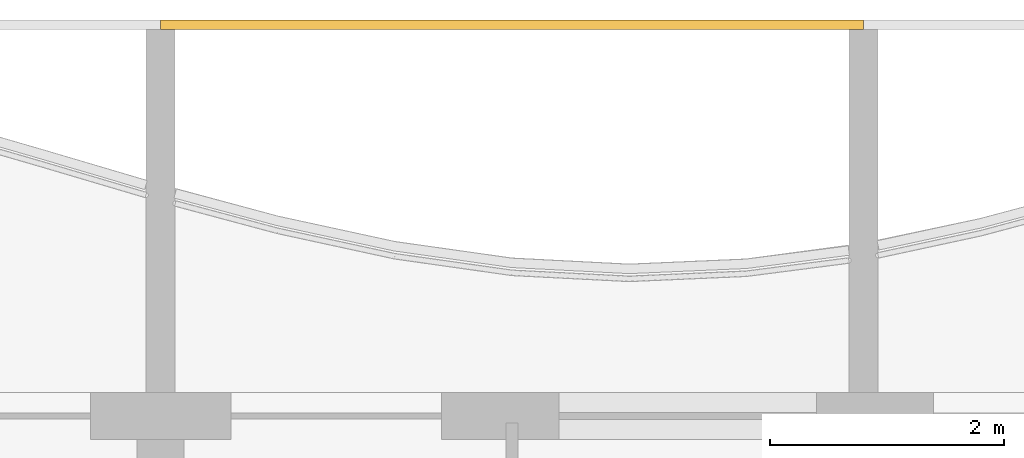
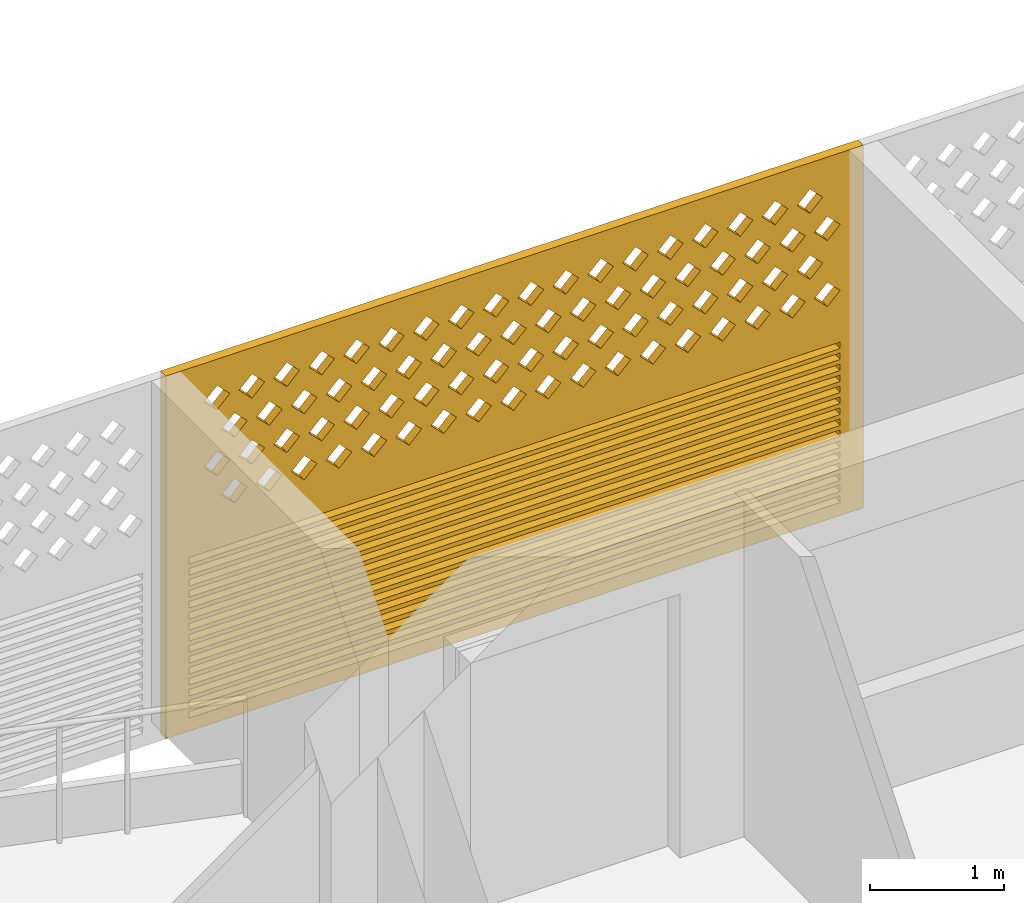
# One storey, part 31 of 44: 1 covering.
"""IFC4 building model written with IfcOpenShell, lengths in metres."""

from ifc_helpers import new_model, si_unit, direction, frame, origin, place, context, subcontext, project, spatial, polyline, outline, extrude, source, transform, mapped, material, material_profile, profile_set, type_object, element, save


model = new_model("IFC4")

# Units and contexts
model_context = context("Model", 3, precision=1e-05, world=origin(), true_north=direction((0.0, 1.0)))
body_context = subcontext(model_context, "Body", "Model", "MODEL_VIEW")
ifc_project = project(units=[si_unit("LENGTHUNIT", "METRE"), si_unit("AREAUNIT", "SQUARE_METRE"), si_unit("VOLUMEUNIT", "CUBIC_METRE"), si_unit("PLANEANGLEUNIT", "RADIAN"), si_unit("MASSUNIT", "GRAM", prefix="KILO")], contexts=[model_context])

# Site, building, storey
site_placement = place(None, origin())
site = spatial("IfcSite", under=ifc_project, at=site_placement, CompositionType="ELEMENT")
building_placement = place(site_placement, origin())
building = spatial("IfcBuilding", under=site, at=building_placement, Name="Poui Terraces", CompositionType="ELEMENT")
storey_placement = place(building_placement, frame((0.0, 0.0, 30.0)))
storey = spatial("IfcBuildingStorey", under=building, at=storey_placement, Name="L07", CompositionType="ELEMENT", Elevation=30.0)

# Covering
ifc_material = material(Name="Terracotta screen", Category="masonry")
ifc_material_profile = material_profile(ifc_material, outline(polyline([(-3.0, -1.64990234375), (3.0, -1.64990234375), (3.0, 1.64990234375), (-3.0, 1.64990234375), (-3.0, -1.64990234375)]), holes=[polyline([(-2.800048828125, 0.39990234375), (-2.68994140625, 0.2900390625), (-2.580078125, 0.39990234375), (-2.68994140625, 0.510009765625), (-2.800048828125, 0.39990234375)]), polyline([(-2.5, 0.39990234375), (-2.389892578125, 0.2900390625), (-2.280029296875, 0.39990234375), (-2.389892578125, 0.510009765625), (-2.5, 0.39990234375)]), polyline([(-2.199951171875, 0.39990234375), (-2.090087890625, 0.2900390625), (-1.97998046875, 0.39990234375), (-2.090087890625, 0.510009765625), (-2.199951171875, 0.39990234375)]), polyline([(-1.89990234375, 0.39990234375), (-1.7900390625, 0.2900390625), (-1.679931640625, 0.39990234375), (-1.7900390625, 0.510009765625), (-1.89990234375, 0.39990234375)]), polyline([(-1.60009765625, 0.39990234375), (-1.489990234375, 0.2900390625), (-1.3798828125, 0.39990234375), (-1.489990234375, 0.510009765625), (-1.60009765625, 0.39990234375)]), polyline([(-1.300048828125, 0.39990234375), (-1.18994140625, 0.2900390625), (-1.080078125, 0.39990234375), (-1.18994140625, 0.510009765625), (-1.300048828125, 0.39990234375)]), polyline([(-1.0, 0.39990234375), (-0.889892578125, 0.2900390625), (-0.780029296875, 0.39990234375), (-0.889892578125, 0.510009765625), (-1.0, 0.39990234375)]), polyline([(-0.699951171875, 0.39990234375), (-0.590087890625, 0.2900390625), (-0.47998046875, 0.39990234375), (-0.590087890625, 0.510009765625), (-0.699951171875, 0.39990234375)]), polyline([(-0.39990234375, 0.39990234375), (-0.2900390625, 0.2900390625), (-0.179931640625, 0.39990234375), (-0.2900390625, 0.510009765625), (-0.39990234375, 0.39990234375)]), polyline([(-0.10009765625, 0.39990234375), (0.010009765625, 0.2900390625), (0.1201171875, 0.39990234375), (0.010009765625, 0.510009765625), (-0.10009765625, 0.39990234375)]), polyline([(0.199951171875, 0.39990234375), (0.31005859375, 0.2900390625), (0.419921875, 0.39990234375), (0.31005859375, 0.510009765625), (0.199951171875, 0.39990234375)]), polyline([(0.5, 0.39990234375), (0.610107421875, 0.2900390625), (0.719970703125, 0.39990234375), (0.610107421875, 0.510009765625), (0.5, 0.39990234375)]), polyline([(0.800048828125, 0.39990234375), (0.909912109375, 0.2900390625), (1.02001953125, 0.39990234375), (0.909912109375, 0.510009765625), (0.800048828125, 0.39990234375)]), polyline([(1.10009765625, 0.39990234375), (1.2099609375, 0.2900390625), (1.320068359375, 0.39990234375), (1.2099609375, 0.510009765625), (1.10009765625, 0.39990234375)]), polyline([(1.39990234375, 0.39990234375), (1.510009765625, 0.2900390625), (1.6201171875, 0.39990234375), (1.510009765625, 0.510009765625), (1.39990234375, 0.39990234375)]), polyline([(1.699951171875, 0.39990234375), (1.81005859375, 0.2900390625), (1.919921875, 0.39990234375), (1.81005859375, 0.510009765625), (1.699951171875, 0.39990234375)]), polyline([(2.0, 0.39990234375), (2.110107421875, 0.2900390625), (2.219970703125, 0.39990234375), (2.110107421875, 0.510009765625), (2.0, 0.39990234375)]), polyline([(2.300048828125, 0.39990234375), (2.409912109375, 0.2900390625), (2.52001953125, 0.39990234375), (2.409912109375, 0.510009765625), (2.300048828125, 0.39990234375)]), polyline([(-2.64990234375, 0.699951171875), (-2.5400390625, 0.590087890625), (-2.429931640625, 0.699951171875), (-2.5400390625, 0.81005859375), (-2.64990234375, 0.699951171875)]), polyline([(-2.35009765625, 0.699951171875), (-2.239990234375, 0.590087890625), (-2.1298828125, 0.699951171875), (-2.239990234375, 0.81005859375), (-2.35009765625, 0.699951171875)]), polyline([(-2.050048828125, 0.699951171875), (-1.93994140625, 0.590087890625), (-1.830078125, 0.699951171875), (-1.93994140625, 0.81005859375), (-2.050048828125, 0.699951171875)]), polyline([(-1.75, 0.699951171875), (-1.639892578125, 0.590087890625), (-1.530029296875, 0.699951171875), (-1.639892578125, 0.81005859375), (-1.75, 0.699951171875)]), polyline([(-1.449951171875, 0.699951171875), (-1.340087890625, 0.590087890625), (-1.22998046875, 0.699951171875), (-1.340087890625, 0.81005859375), (-1.449951171875, 0.699951171875)]), polyline([(-1.14990234375, 0.699951171875), (-1.0400390625, 0.590087890625), (-0.929931640625, 0.699951171875), (-1.0400390625, 0.81005859375), (-1.14990234375, 0.699951171875)]), polyline([(-0.85009765625, 0.699951171875), (-0.739990234375, 0.590087890625), (-0.6298828125, 0.699951171875), (-0.739990234375, 0.81005859375), (-0.85009765625, 0.699951171875)]), polyline([(-0.550048828125, 0.699951171875), (-0.43994140625, 0.590087890625), (-0.330078125, 0.699951171875), (-0.43994140625, 0.81005859375), (-0.550048828125, 0.699951171875)]), polyline([(-0.25, 0.699951171875), (-0.139892578125, 0.590087890625), (-0.030029296875, 0.699951171875), (-0.139892578125, 0.81005859375), (-0.25, 0.699951171875)]), polyline([(0.050048828125, 0.699951171875), (0.159912109375, 0.590087890625), (0.27001953125, 0.699951171875), (0.159912109375, 0.81005859375), (0.050048828125, 0.699951171875)]), polyline([(0.35009765625, 0.699951171875), (0.4599609375, 0.590087890625), (0.570068359375, 0.699951171875), (0.4599609375, 0.81005859375), (0.35009765625, 0.699951171875)]), polyline([(0.64990234375, 0.699951171875), (0.760009765625, 0.590087890625), (0.8701171875, 0.699951171875), (0.760009765625, 0.81005859375), (0.64990234375, 0.699951171875)]), polyline([(0.949951171875, 0.699951171875), (1.06005859375, 0.590087890625), (1.169921875, 0.699951171875), (1.06005859375, 0.81005859375), (0.949951171875, 0.699951171875)]), polyline([(1.25, 0.699951171875), (1.360107421875, 0.590087890625), (1.469970703125, 0.699951171875), (1.360107421875, 0.81005859375), (1.25, 0.699951171875)]), polyline([(1.550048828125, 0.699951171875), (1.659912109375, 0.590087890625), (1.77001953125, 0.699951171875), (1.659912109375, 0.81005859375), (1.550048828125, 0.699951171875)]), polyline([(1.85009765625, 0.699951171875), (1.9599609375, 0.590087890625), (2.070068359375, 0.699951171875), (1.9599609375, 0.81005859375), (1.85009765625, 0.699951171875)]), polyline([(2.14990234375, 0.699951171875), (2.260009765625, 0.590087890625), (2.3701171875, 0.699951171875), (2.260009765625, 0.81005859375), (2.14990234375, 0.699951171875)]), polyline([(2.449951171875, 0.699951171875), (2.56005859375, 0.590087890625), (2.669921875, 0.699951171875), (2.56005859375, 0.81005859375), (2.449951171875, 0.699951171875)]), polyline([(-2.800048828125, 1.0), (-2.68994140625, 0.889892578125), (-2.580078125, 1.0), (-2.68994140625, 1.110107421875), (-2.800048828125, 1.0)]), polyline([(-2.5, 1.0), (-2.389892578125, 0.889892578125), (-2.280029296875, 1.0), (-2.389892578125, 1.110107421875), (-2.5, 1.0)]), polyline([(-2.199951171875, 1.0), (-2.090087890625, 0.889892578125), (-1.97998046875, 1.0), (-2.090087890625, 1.110107421875), (-2.199951171875, 1.0)]), polyline([(-1.89990234375, 1.0), (-1.7900390625, 0.889892578125), (-1.679931640625, 1.0), (-1.7900390625, 1.110107421875), (-1.89990234375, 1.0)]), polyline([(-1.60009765625, 1.0), (-1.489990234375, 0.889892578125), (-1.3798828125, 1.0), (-1.489990234375, 1.110107421875), (-1.60009765625, 1.0)]), polyline([(-1.300048828125, 1.0), (-1.18994140625, 0.889892578125), (-1.080078125, 1.0), (-1.18994140625, 1.110107421875), (-1.300048828125, 1.0)]), polyline([(-1.0, 1.0), (-0.889892578125, 0.889892578125), (-0.780029296875, 1.0), (-0.889892578125, 1.110107421875), (-1.0, 1.0)]), polyline([(-0.699951171875, 1.0), (-0.590087890625, 0.889892578125), (-0.47998046875, 1.0), (-0.590087890625, 1.110107421875), (-0.699951171875, 1.0)]), polyline([(-0.39990234375, 1.0), (-0.2900390625, 0.889892578125), (-0.179931640625, 1.0), (-0.2900390625, 1.110107421875), (-0.39990234375, 1.0)]), polyline([(-0.10009765625, 1.0), (0.010009765625, 0.889892578125), (0.1201171875, 1.0), (0.010009765625, 1.110107421875), (-0.10009765625, 1.0)]), polyline([(0.199951171875, 1.0), (0.31005859375, 0.889892578125), (0.419921875, 1.0), (0.31005859375, 1.110107421875), (0.199951171875, 1.0)]), polyline([(0.5, 1.0), (0.610107421875, 0.889892578125), (0.719970703125, 1.0), (0.610107421875, 1.110107421875), (0.5, 1.0)]), polyline([(0.800048828125, 1.0), (0.909912109375, 0.889892578125), (1.02001953125, 1.0), (0.909912109375, 1.110107421875), (0.800048828125, 1.0)]), polyline([(1.10009765625, 1.0), (1.2099609375, 0.889892578125), (1.320068359375, 1.0), (1.2099609375, 1.110107421875), (1.10009765625, 1.0)]), polyline([(1.39990234375, 1.0), (1.510009765625, 0.889892578125), (1.6201171875, 1.0), (1.510009765625, 1.110107421875), (1.39990234375, 1.0)]), polyline([(1.699951171875, 1.0), (1.81005859375, 0.889892578125), (1.919921875, 1.0), (1.81005859375, 1.110107421875), (1.699951171875, 1.0)]), polyline([(2.0, 1.0), (2.110107421875, 0.889892578125), (2.219970703125, 1.0), (2.110107421875, 1.110107421875), (2.0, 1.0)]), polyline([(2.300048828125, 1.0), (2.409912109375, 0.889892578125), (2.52001953125, 1.0), (2.409912109375, 1.110107421875), (2.300048828125, 1.0)]), polyline([(-2.64990234375, 1.300048828125), (-2.5400390625, 1.18994140625), (-2.429931640625, 1.300048828125), (-2.5400390625, 1.409912109375), (-2.64990234375, 1.300048828125)]), polyline([(-2.35009765625, 1.300048828125), (-2.239990234375, 1.18994140625), (-2.1298828125, 1.300048828125), (-2.239990234375, 1.409912109375), (-2.35009765625, 1.300048828125)]), polyline([(-2.050048828125, 1.300048828125), (-1.93994140625, 1.18994140625), (-1.830078125, 1.300048828125), (-1.93994140625, 1.409912109375), (-2.050048828125, 1.300048828125)]), polyline([(-1.75, 1.300048828125), (-1.639892578125, 1.18994140625), (-1.530029296875, 1.300048828125), (-1.639892578125, 1.409912109375), (-1.75, 1.300048828125)]), polyline([(-1.449951171875, 1.300048828125), (-1.340087890625, 1.18994140625), (-1.22998046875, 1.300048828125), (-1.340087890625, 1.409912109375), (-1.449951171875, 1.300048828125)]), polyline([(-1.14990234375, 1.300048828125), (-1.0400390625, 1.18994140625), (-0.929931640625, 1.300048828125), (-1.0400390625, 1.409912109375), (-1.14990234375, 1.300048828125)]), polyline([(-0.85009765625, 1.300048828125), (-0.739990234375, 1.18994140625), (-0.6298828125, 1.300048828125), (-0.739990234375, 1.409912109375), (-0.85009765625, 1.300048828125)]), polyline([(-0.550048828125, 1.300048828125), (-0.43994140625, 1.18994140625), (-0.330078125, 1.300048828125), (-0.43994140625, 1.409912109375), (-0.550048828125, 1.300048828125)]), polyline([(-0.25, 1.300048828125), (-0.139892578125, 1.18994140625), (-0.030029296875, 1.300048828125), (-0.139892578125, 1.409912109375), (-0.25, 1.300048828125)]), polyline([(0.050048828125, 1.300048828125), (0.159912109375, 1.18994140625), (0.27001953125, 1.300048828125), (0.159912109375, 1.409912109375), (0.050048828125, 1.300048828125)]), polyline([(0.35009765625, 1.300048828125), (0.4599609375, 1.18994140625), (0.570068359375, 1.300048828125), (0.4599609375, 1.409912109375), (0.35009765625, 1.300048828125)]), polyline([(0.64990234375, 1.300048828125), (0.760009765625, 1.18994140625), (0.8701171875, 1.300048828125), (0.760009765625, 1.409912109375), (0.64990234375, 1.300048828125)]), polyline([(0.949951171875, 1.300048828125), (1.06005859375, 1.18994140625), (1.169921875, 1.300048828125), (1.06005859375, 1.409912109375), (0.949951171875, 1.300048828125)]), polyline([(1.25, 1.300048828125), (1.360107421875, 1.18994140625), (1.469970703125, 1.300048828125), (1.360107421875, 1.409912109375), (1.25, 1.300048828125)]), polyline([(1.550048828125, 1.300048828125), (1.659912109375, 1.18994140625), (1.77001953125, 1.300048828125), (1.659912109375, 1.409912109375), (1.550048828125, 1.300048828125)]), polyline([(1.85009765625, 1.300048828125), (1.9599609375, 1.18994140625), (2.070068359375, 1.300048828125), (1.9599609375, 1.409912109375), (1.85009765625, 1.300048828125)]), polyline([(2.14990234375, 1.300048828125), (2.260009765625, 1.18994140625), (2.3701171875, 1.300048828125), (2.260009765625, 1.409912109375), (2.14990234375, 1.300048828125)]), polyline([(2.449951171875, 1.300048828125), (2.56005859375, 1.18994140625), (2.669921875, 1.300048828125), (2.56005859375, 1.409912109375), (2.449951171875, 1.300048828125)]), polyline([(-2.800048828125, -1.530029296875), (2.800048828125, -1.530029296875), (2.800048828125, -1.469970703125), (-2.800048828125, -1.469970703125), (-2.800048828125, -1.530029296875)]), polyline([(-2.800048828125, -1.429931640625), (2.800048828125, -1.429931640625), (2.800048828125, -1.3701171875), (-2.800048828125, -1.3701171875), (-2.800048828125, -1.429931640625)]), polyline([(-2.800048828125, -1.330078125), (2.800048828125, -1.330078125), (2.800048828125, -1.27001953125), (-2.800048828125, -1.27001953125), (-2.800048828125, -1.330078125)]), polyline([(-2.800048828125, -1.22998046875), (2.800048828125, -1.22998046875), (2.800048828125, -1.169921875), (-2.800048828125, -1.169921875), (-2.800048828125, -1.22998046875)]), polyline([(-2.800048828125, -1.1298828125), (2.800048828125, -1.1298828125), (2.800048828125, -1.070068359375), (-2.800048828125, -1.070068359375), (-2.800048828125, -1.1298828125)]), polyline([(-2.800048828125, -1.030029296875), (2.800048828125, -1.030029296875), (2.800048828125, -0.969970703125), (-2.800048828125, -0.969970703125), (-2.800048828125, -1.030029296875)]), polyline([(-2.800048828125, -0.929931640625), (2.800048828125, -0.929931640625), (2.800048828125, -0.8701171875), (-2.800048828125, -0.8701171875), (-2.800048828125, -0.929931640625)]), polyline([(-2.800048828125, -0.830078125), (2.800048828125, -0.830078125), (2.800048828125, -0.77001953125), (-2.800048828125, -0.77001953125), (-2.800048828125, -0.830078125)]), polyline([(-2.800048828125, -0.72998046875), (2.800048828125, -0.72998046875), (2.800048828125, -0.669921875), (-2.800048828125, -0.669921875), (-2.800048828125, -0.72998046875)]), polyline([(-2.800048828125, -0.6298828125), (2.800048828125, -0.6298828125), (2.800048828125, -0.570068359375), (-2.800048828125, -0.570068359375), (-2.800048828125, -0.6298828125)]), polyline([(-2.800048828125, -0.530029296875), (2.800048828125, -0.530029296875), (2.800048828125, -0.469970703125), (-2.800048828125, -0.469970703125), (-2.800048828125, -0.530029296875)]), polyline([(-2.800048828125, -0.429931640625), (2.800048828125, -0.429931640625), (2.800048828125, -0.3701171875), (-2.800048828125, -0.3701171875), (-2.800048828125, -0.429931640625)]), polyline([(-2.800048828125, -0.330078125), (2.800048828125, -0.330078125), (2.800048828125, -0.27001953125), (-2.800048828125, -0.27001953125), (-2.800048828125, -0.330078125)]), polyline([(-2.800048828125, -0.22998046875), (2.800048828125, -0.22998046875), (2.800048828125, -0.169921875), (-2.800048828125, -0.169921875), (-2.800048828125, -0.22998046875)]), polyline([(-2.800048828125, -0.1298828125), (2.800048828125, -0.1298828125), (2.800048828125, -0.070068359375), (-2.800048828125, -0.070068359375), (-2.800048828125, -0.1298828125)])]), Name="TERRACOTTA SCREEN AND JALOUSIE LOUVRE 6000X3300")
ifc_profile_set = profile_set([ifc_material_profile], Name="Terracotta screen")
covering_type = type_object("IfcCoveringType", Name="TERRACOTTA SCREEN AND JALOUSIE LOUVRE 6000X3300", PredefinedType="CLADDING", material=ifc_profile_set)
shared_shape = source(origin(), body_context, "Body", "SweptSolid", [
    extrude(outline(polyline([(-3.0, -1.64990234375), (3.0, -1.64990234375), (3.0, 1.64990234375), (-3.0, 1.64990234375), (-3.0, -1.64990234375)]), holes=[polyline([(-2.800048828125, 0.39990234375), (-2.68994140625, 0.2900390625), (-2.580078125, 0.39990234375), (-2.68994140625, 0.510009765625), (-2.800048828125, 0.39990234375)]), polyline([(-2.5, 0.39990234375), (-2.389892578125, 0.2900390625), (-2.280029296875, 0.39990234375), (-2.389892578125, 0.510009765625), (-2.5, 0.39990234375)]), polyline([(-2.199951171875, 0.39990234375), (-2.090087890625, 0.2900390625), (-1.97998046875, 0.39990234375), (-2.090087890625, 0.510009765625), (-2.199951171875, 0.39990234375)]), polyline([(-1.89990234375, 0.39990234375), (-1.7900390625, 0.2900390625), (-1.679931640625, 0.39990234375), (-1.7900390625, 0.510009765625), (-1.89990234375, 0.39990234375)]), polyline([(-1.60009765625, 0.39990234375), (-1.489990234375, 0.2900390625), (-1.3798828125, 0.39990234375), (-1.489990234375, 0.510009765625), (-1.60009765625, 0.39990234375)]), polyline([(-1.300048828125, 0.39990234375), (-1.18994140625, 0.2900390625), (-1.080078125, 0.39990234375), (-1.18994140625, 0.510009765625), (-1.300048828125, 0.39990234375)]), polyline([(-1.0, 0.39990234375), (-0.889892578125, 0.2900390625), (-0.780029296875, 0.39990234375), (-0.889892578125, 0.510009765625), (-1.0, 0.39990234375)]), polyline([(-0.699951171875, 0.39990234375), (-0.590087890625, 0.2900390625), (-0.47998046875, 0.39990234375), (-0.590087890625, 0.510009765625), (-0.699951171875, 0.39990234375)]), polyline([(-0.39990234375, 0.39990234375), (-0.2900390625, 0.2900390625), (-0.179931640625, 0.39990234375), (-0.2900390625, 0.510009765625), (-0.39990234375, 0.39990234375)]), polyline([(-0.10009765625, 0.39990234375), (0.010009765625, 0.2900390625), (0.1201171875, 0.39990234375), (0.010009765625, 0.510009765625), (-0.10009765625, 0.39990234375)]), polyline([(0.199951171875, 0.39990234375), (0.31005859375, 0.2900390625), (0.419921875, 0.39990234375), (0.31005859375, 0.510009765625), (0.199951171875, 0.39990234375)]), polyline([(0.5, 0.39990234375), (0.610107421875, 0.2900390625), (0.719970703125, 0.39990234375), (0.610107421875, 0.510009765625), (0.5, 0.39990234375)]), polyline([(0.800048828125, 0.39990234375), (0.909912109375, 0.2900390625), (1.02001953125, 0.39990234375), (0.909912109375, 0.510009765625), (0.800048828125, 0.39990234375)]), polyline([(1.10009765625, 0.39990234375), (1.2099609375, 0.2900390625), (1.320068359375, 0.39990234375), (1.2099609375, 0.510009765625), (1.10009765625, 0.39990234375)]), polyline([(1.39990234375, 0.39990234375), (1.510009765625, 0.2900390625), (1.6201171875, 0.39990234375), (1.510009765625, 0.510009765625), (1.39990234375, 0.39990234375)]), polyline([(1.699951171875, 0.39990234375), (1.81005859375, 0.2900390625), (1.919921875, 0.39990234375), (1.81005859375, 0.510009765625), (1.699951171875, 0.39990234375)]), polyline([(2.0, 0.39990234375), (2.110107421875, 0.2900390625), (2.219970703125, 0.39990234375), (2.110107421875, 0.510009765625), (2.0, 0.39990234375)]), polyline([(2.300048828125, 0.39990234375), (2.409912109375, 0.2900390625), (2.52001953125, 0.39990234375), (2.409912109375, 0.510009765625), (2.300048828125, 0.39990234375)]), polyline([(-2.64990234375, 0.699951171875), (-2.5400390625, 0.590087890625), (-2.429931640625, 0.699951171875), (-2.5400390625, 0.81005859375), (-2.64990234375, 0.699951171875)]), polyline([(-2.35009765625, 0.699951171875), (-2.239990234375, 0.590087890625), (-2.1298828125, 0.699951171875), (-2.239990234375, 0.81005859375), (-2.35009765625, 0.699951171875)]), polyline([(-2.050048828125, 0.699951171875), (-1.93994140625, 0.590087890625), (-1.830078125, 0.699951171875), (-1.93994140625, 0.81005859375), (-2.050048828125, 0.699951171875)]), polyline([(-1.75, 0.699951171875), (-1.639892578125, 0.590087890625), (-1.530029296875, 0.699951171875), (-1.639892578125, 0.81005859375), (-1.75, 0.699951171875)]), polyline([(-1.449951171875, 0.699951171875), (-1.340087890625, 0.590087890625), (-1.22998046875, 0.699951171875), (-1.340087890625, 0.81005859375), (-1.449951171875, 0.699951171875)]), polyline([(-1.14990234375, 0.699951171875), (-1.0400390625, 0.590087890625), (-0.929931640625, 0.699951171875), (-1.0400390625, 0.81005859375), (-1.14990234375, 0.699951171875)]), polyline([(-0.85009765625, 0.699951171875), (-0.739990234375, 0.590087890625), (-0.6298828125, 0.699951171875), (-0.739990234375, 0.81005859375), (-0.85009765625, 0.699951171875)]), polyline([(-0.550048828125, 0.699951171875), (-0.43994140625, 0.590087890625), (-0.330078125, 0.699951171875), (-0.43994140625, 0.81005859375), (-0.550048828125, 0.699951171875)]), polyline([(-0.25, 0.699951171875), (-0.139892578125, 0.590087890625), (-0.030029296875, 0.699951171875), (-0.139892578125, 0.81005859375), (-0.25, 0.699951171875)]), polyline([(0.050048828125, 0.699951171875), (0.159912109375, 0.590087890625), (0.27001953125, 0.699951171875), (0.159912109375, 0.81005859375), (0.050048828125, 0.699951171875)]), polyline([(0.35009765625, 0.699951171875), (0.4599609375, 0.590087890625), (0.570068359375, 0.699951171875), (0.4599609375, 0.81005859375), (0.35009765625, 0.699951171875)]), polyline([(0.64990234375, 0.699951171875), (0.760009765625, 0.590087890625), (0.8701171875, 0.699951171875), (0.760009765625, 0.81005859375), (0.64990234375, 0.699951171875)]), polyline([(0.949951171875, 0.699951171875), (1.06005859375, 0.590087890625), (1.169921875, 0.699951171875), (1.06005859375, 0.81005859375), (0.949951171875, 0.699951171875)]), polyline([(1.25, 0.699951171875), (1.360107421875, 0.590087890625), (1.469970703125, 0.699951171875), (1.360107421875, 0.81005859375), (1.25, 0.699951171875)]), polyline([(1.550048828125, 0.699951171875), (1.659912109375, 0.590087890625), (1.77001953125, 0.699951171875), (1.659912109375, 0.81005859375), (1.550048828125, 0.699951171875)]), polyline([(1.85009765625, 0.699951171875), (1.9599609375, 0.590087890625), (2.070068359375, 0.699951171875), (1.9599609375, 0.81005859375), (1.85009765625, 0.699951171875)]), polyline([(2.14990234375, 0.699951171875), (2.260009765625, 0.590087890625), (2.3701171875, 0.699951171875), (2.260009765625, 0.81005859375), (2.14990234375, 0.699951171875)]), polyline([(2.449951171875, 0.699951171875), (2.56005859375, 0.590087890625), (2.669921875, 0.699951171875), (2.56005859375, 0.81005859375), (2.449951171875, 0.699951171875)]), polyline([(-2.800048828125, 1.0), (-2.68994140625, 0.889892578125), (-2.580078125, 1.0), (-2.68994140625, 1.110107421875), (-2.800048828125, 1.0)]), polyline([(-2.5, 1.0), (-2.389892578125, 0.889892578125), (-2.280029296875, 1.0), (-2.389892578125, 1.110107421875), (-2.5, 1.0)]), polyline([(-2.199951171875, 1.0), (-2.090087890625, 0.889892578125), (-1.97998046875, 1.0), (-2.090087890625, 1.110107421875), (-2.199951171875, 1.0)]), polyline([(-1.89990234375, 1.0), (-1.7900390625, 0.889892578125), (-1.679931640625, 1.0), (-1.7900390625, 1.110107421875), (-1.89990234375, 1.0)]), polyline([(-1.60009765625, 1.0), (-1.489990234375, 0.889892578125), (-1.3798828125, 1.0), (-1.489990234375, 1.110107421875), (-1.60009765625, 1.0)]), polyline([(-1.300048828125, 1.0), (-1.18994140625, 0.889892578125), (-1.080078125, 1.0), (-1.18994140625, 1.110107421875), (-1.300048828125, 1.0)]), polyline([(-1.0, 1.0), (-0.889892578125, 0.889892578125), (-0.780029296875, 1.0), (-0.889892578125, 1.110107421875), (-1.0, 1.0)]), polyline([(-0.699951171875, 1.0), (-0.590087890625, 0.889892578125), (-0.47998046875, 1.0), (-0.590087890625, 1.110107421875), (-0.699951171875, 1.0)]), polyline([(-0.39990234375, 1.0), (-0.2900390625, 0.889892578125), (-0.179931640625, 1.0), (-0.2900390625, 1.110107421875), (-0.39990234375, 1.0)]), polyline([(-0.10009765625, 1.0), (0.010009765625, 0.889892578125), (0.1201171875, 1.0), (0.010009765625, 1.110107421875), (-0.10009765625, 1.0)]), polyline([(0.199951171875, 1.0), (0.31005859375, 0.889892578125), (0.419921875, 1.0), (0.31005859375, 1.110107421875), (0.199951171875, 1.0)]), polyline([(0.5, 1.0), (0.610107421875, 0.889892578125), (0.719970703125, 1.0), (0.610107421875, 1.110107421875), (0.5, 1.0)]), polyline([(0.800048828125, 1.0), (0.909912109375, 0.889892578125), (1.02001953125, 1.0), (0.909912109375, 1.110107421875), (0.800048828125, 1.0)]), polyline([(1.10009765625, 1.0), (1.2099609375, 0.889892578125), (1.320068359375, 1.0), (1.2099609375, 1.110107421875), (1.10009765625, 1.0)]), polyline([(1.39990234375, 1.0), (1.510009765625, 0.889892578125), (1.6201171875, 1.0), (1.510009765625, 1.110107421875), (1.39990234375, 1.0)]), polyline([(1.699951171875, 1.0), (1.81005859375, 0.889892578125), (1.919921875, 1.0), (1.81005859375, 1.110107421875), (1.699951171875, 1.0)]), polyline([(2.0, 1.0), (2.110107421875, 0.889892578125), (2.219970703125, 1.0), (2.110107421875, 1.110107421875), (2.0, 1.0)]), polyline([(2.300048828125, 1.0), (2.409912109375, 0.889892578125), (2.52001953125, 1.0), (2.409912109375, 1.110107421875), (2.300048828125, 1.0)]), polyline([(-2.64990234375, 1.300048828125), (-2.5400390625, 1.18994140625), (-2.429931640625, 1.300048828125), (-2.5400390625, 1.409912109375), (-2.64990234375, 1.300048828125)]), polyline([(-2.35009765625, 1.300048828125), (-2.239990234375, 1.18994140625), (-2.1298828125, 1.300048828125), (-2.239990234375, 1.409912109375), (-2.35009765625, 1.300048828125)]), polyline([(-2.050048828125, 1.300048828125), (-1.93994140625, 1.18994140625), (-1.830078125, 1.300048828125), (-1.93994140625, 1.409912109375), (-2.050048828125, 1.300048828125)]), polyline([(-1.75, 1.300048828125), (-1.639892578125, 1.18994140625), (-1.530029296875, 1.300048828125), (-1.639892578125, 1.409912109375), (-1.75, 1.300048828125)]), polyline([(-1.449951171875, 1.300048828125), (-1.340087890625, 1.18994140625), (-1.22998046875, 1.300048828125), (-1.340087890625, 1.409912109375), (-1.449951171875, 1.300048828125)]), polyline([(-1.14990234375, 1.300048828125), (-1.0400390625, 1.18994140625), (-0.929931640625, 1.300048828125), (-1.0400390625, 1.409912109375), (-1.14990234375, 1.300048828125)]), polyline([(-0.85009765625, 1.300048828125), (-0.739990234375, 1.18994140625), (-0.6298828125, 1.300048828125), (-0.739990234375, 1.409912109375), (-0.85009765625, 1.300048828125)]), polyline([(-0.550048828125, 1.300048828125), (-0.43994140625, 1.18994140625), (-0.330078125, 1.300048828125), (-0.43994140625, 1.409912109375), (-0.550048828125, 1.300048828125)]), polyline([(-0.25, 1.300048828125), (-0.139892578125, 1.18994140625), (-0.030029296875, 1.300048828125), (-0.139892578125, 1.409912109375), (-0.25, 1.300048828125)]), polyline([(0.050048828125, 1.300048828125), (0.159912109375, 1.18994140625), (0.27001953125, 1.300048828125), (0.159912109375, 1.409912109375), (0.050048828125, 1.300048828125)]), polyline([(0.35009765625, 1.300048828125), (0.4599609375, 1.18994140625), (0.570068359375, 1.300048828125), (0.4599609375, 1.409912109375), (0.35009765625, 1.300048828125)]), polyline([(0.64990234375, 1.300048828125), (0.760009765625, 1.18994140625), (0.8701171875, 1.300048828125), (0.760009765625, 1.409912109375), (0.64990234375, 1.300048828125)]), polyline([(0.949951171875, 1.300048828125), (1.06005859375, 1.18994140625), (1.169921875, 1.300048828125), (1.06005859375, 1.409912109375), (0.949951171875, 1.300048828125)]), polyline([(1.25, 1.300048828125), (1.360107421875, 1.18994140625), (1.469970703125, 1.300048828125), (1.360107421875, 1.409912109375), (1.25, 1.300048828125)]), polyline([(1.550048828125, 1.300048828125), (1.659912109375, 1.18994140625), (1.77001953125, 1.300048828125), (1.659912109375, 1.409912109375), (1.550048828125, 1.300048828125)]), polyline([(1.85009765625, 1.300048828125), (1.9599609375, 1.18994140625), (2.070068359375, 1.300048828125), (1.9599609375, 1.409912109375), (1.85009765625, 1.300048828125)]), polyline([(2.14990234375, 1.300048828125), (2.260009765625, 1.18994140625), (2.3701171875, 1.300048828125), (2.260009765625, 1.409912109375), (2.14990234375, 1.300048828125)]), polyline([(2.449951171875, 1.300048828125), (2.56005859375, 1.18994140625), (2.669921875, 1.300048828125), (2.56005859375, 1.409912109375), (2.449951171875, 1.300048828125)]), polyline([(-2.800048828125, -1.530029296875), (2.800048828125, -1.530029296875), (2.800048828125, -1.469970703125), (-2.800048828125, -1.469970703125), (-2.800048828125, -1.530029296875)]), polyline([(-2.800048828125, -1.429931640625), (2.800048828125, -1.429931640625), (2.800048828125, -1.3701171875), (-2.800048828125, -1.3701171875), (-2.800048828125, -1.429931640625)]), polyline([(-2.800048828125, -1.330078125), (2.800048828125, -1.330078125), (2.800048828125, -1.27001953125), (-2.800048828125, -1.27001953125), (-2.800048828125, -1.330078125)]), polyline([(-2.800048828125, -1.22998046875), (2.800048828125, -1.22998046875), (2.800048828125, -1.169921875), (-2.800048828125, -1.169921875), (-2.800048828125, -1.22998046875)]), polyline([(-2.800048828125, -1.1298828125), (2.800048828125, -1.1298828125), (2.800048828125, -1.070068359375), (-2.800048828125, -1.070068359375), (-2.800048828125, -1.1298828125)]), polyline([(-2.800048828125, -1.030029296875), (2.800048828125, -1.030029296875), (2.800048828125, -0.969970703125), (-2.800048828125, -0.969970703125), (-2.800048828125, -1.030029296875)]), polyline([(-2.800048828125, -0.929931640625), (2.800048828125, -0.929931640625), (2.800048828125, -0.8701171875), (-2.800048828125, -0.8701171875), (-2.800048828125, -0.929931640625)]), polyline([(-2.800048828125, -0.830078125), (2.800048828125, -0.830078125), (2.800048828125, -0.77001953125), (-2.800048828125, -0.77001953125), (-2.800048828125, -0.830078125)]), polyline([(-2.800048828125, -0.72998046875), (2.800048828125, -0.72998046875), (2.800048828125, -0.669921875), (-2.800048828125, -0.669921875), (-2.800048828125, -0.72998046875)]), polyline([(-2.800048828125, -0.6298828125), (2.800048828125, -0.6298828125), (2.800048828125, -0.570068359375), (-2.800048828125, -0.570068359375), (-2.800048828125, -0.6298828125)]), polyline([(-2.800048828125, -0.530029296875), (2.800048828125, -0.530029296875), (2.800048828125, -0.469970703125), (-2.800048828125, -0.469970703125), (-2.800048828125, -0.530029296875)]), polyline([(-2.800048828125, -0.429931640625), (2.800048828125, -0.429931640625), (2.800048828125, -0.3701171875), (-2.800048828125, -0.3701171875), (-2.800048828125, -0.429931640625)]), polyline([(-2.800048828125, -0.330078125), (2.800048828125, -0.330078125), (2.800048828125, -0.27001953125), (-2.800048828125, -0.27001953125), (-2.800048828125, -0.330078125)]), polyline([(-2.800048828125, -0.22998046875), (2.800048828125, -0.22998046875), (2.800048828125, -0.169921875), (-2.800048828125, -0.169921875), (-2.800048828125, -0.22998046875)]), polyline([(-2.800048828125, -0.1298828125), (2.800048828125, -0.1298828125), (2.800048828125, -0.070068359375), (-2.800048828125, -0.070068359375), (-2.800048828125, -0.1298828125)])]), origin(), (0.0, 0.0, 1.0), 0.079833984375),
])
covering_placement = place(storey_placement, frame((45.0, 48.10009765625, 1.449951171875), z_axis=(0.0, 1.0, 0.0), x_axis=(-1.0, 0.0, 0.0)))
element("IfcCovering", 1, at=covering_placement, inside=storey, type_object=covering_type, Name="SOLAR SCREEN AND JALOUSIE LOUVRE", PredefinedType="CLADDING", context=body_context, shape_type="MappedRepresentation", body=[
    mapped(shared_shape, transform((0.0, 0.0, 0.0))),
])

save(model, "model.ifc")
